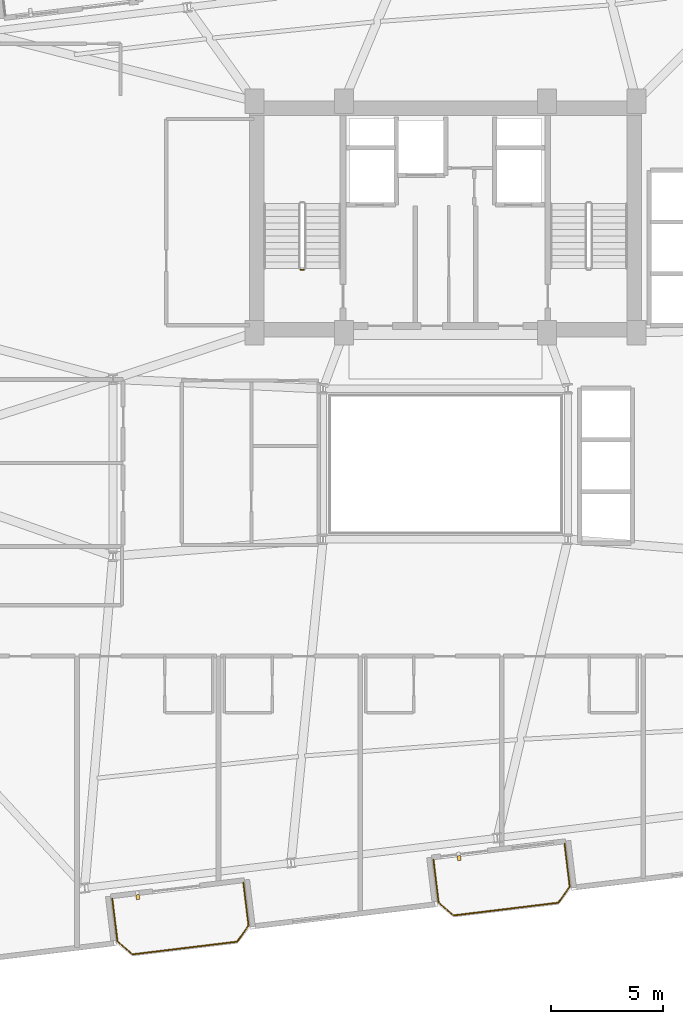
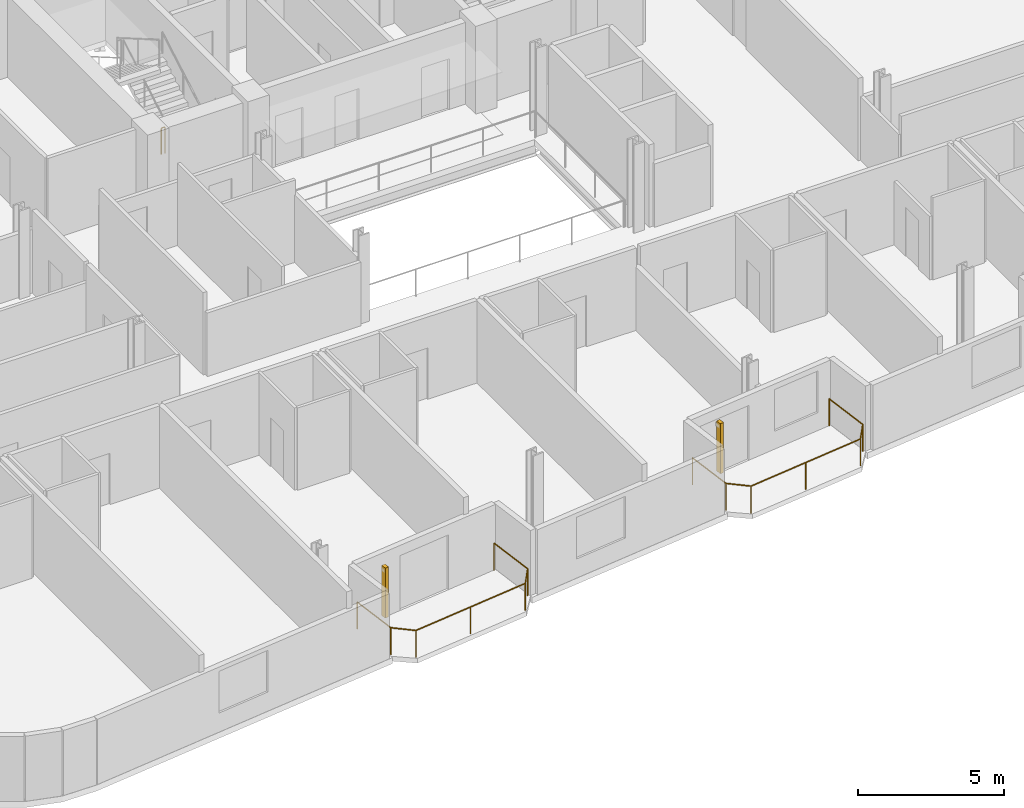
# One storey, part 20 of 23: 3 railings, 2 shading devices.
"""IFC4 building model written with IfcOpenShell, lengths in metres."""

from ifc_helpers import new_model, si_unit, direction, frame, origin, origin_2d, place, context, subcontext, project, spatial, rectangle, circle, extrude, source, transform, mapped, material, type_object, element, save


model = new_model("IFC4")

# Units and contexts
model_context = context("Model", 3, precision=1e-05, world=origin(), true_north=direction((0.0, 1.0)))
body_context = subcontext(model_context, "Body", "Model", "MODEL_VIEW")
ifc_project = project(units=[si_unit("LENGTHUNIT", "METRE"), si_unit("AREAUNIT", "SQUARE_METRE"), si_unit("VOLUMEUNIT", "CUBIC_METRE"), si_unit("PLANEANGLEUNIT", "RADIAN"), si_unit("MASSUNIT", "GRAM", prefix="KILO")], contexts=[model_context])

# Site, building, storey
site_placement = place(None, origin())
site = spatial("IfcSite", under=ifc_project, at=site_placement, CompositionType="ELEMENT")
building_placement = place(site_placement, origin())
building = spatial("IfcBuilding", under=site, at=building_placement, Name="Varnelok Gate Tower", CompositionType="ELEMENT")
storey_placement = place(building_placement, frame((0.0, 0.0, 200.5)))
storey = spatial("IfcBuildingStorey", under=building, at=storey_placement, Name="L51", CompositionType="ELEMENT", Elevation=200.5)

# Railings
ifc_material_1 = material(Name="Low-E Laminated Double Glazing IGU", Category="glass")
railing_type_1 = type_object("IfcRailingType", Name="RL-BALC-1150", PredefinedType="BALUSTRADE", material=ifc_material_1)
railing_1_placement = place(storey_placement, frame((24.368896484375, 3.55712890625, 0.0)))
element("IfcRailing", 1, at=railing_1_placement, inside=storey, type_object=railing_type_1, Name="L51 South Terrace Balustrade 1", PredefinedType="BALUSTRADE", context=body_context, shape_type="SweptSolid", body=[
    extrude(circle(Radius=0.02392578125, at=origin_2d()), frame((0.0, 0.0, 1.1259765625), z_axis=(0.120293392036, -0.992738384386, 0.0), x_axis=(0.992738384386, 0.120293392036, 0.0)), (0.0, 0.0, 1.0), 1.919921875),
    extrude(circle(Radius=0.02392578125, at=origin_2d()), frame((0.23095703125, -1.906005859375, 1.1259765625), z_axis=(0.756422670136, -0.654083132411, 0.0), x_axis=(0.654083132411, 0.756422670136, 0.0)), (0.0, 0.0, 1.0), 0.8779296875),
    extrude(circle(Radius=0.02392578125, at=origin_2d()), frame((0.89501953125, -2.480224609375, 1.1259765625), z_axis=(0.992736790351, 0.120306546306, 0.0), x_axis=(-0.120306546306, 0.992736790351, 0.0)), (0.0, 0.0, 1.0), 4.699951171875),
    extrude(circle(Radius=0.02392578125, at=origin_2d()), frame((5.560791015625, -1.914794921875, 1.1259765625), z_axis=(0.57815621837, 0.815926091726, 0.0), x_axis=(-0.815926091726, 0.57815621837, 0.0)), (0.0, 0.0, 1.0), 0.8779296875),
    extrude(circle(Radius=0.02392578125, at=origin_2d()), frame((6.068359375, -1.198486328125, 1.1259765625), z_axis=(-0.12040351024, 0.992725034802, 0.0), x_axis=(-0.992725034802, -0.12040351024, 0.0)), (0.0, 0.0, 1.0), 1.920166015625),
    extrude(circle(Radius=0.02099609375, at=origin_2d()), origin(), (0.0, 0.0, 1.0), 1.101806640625),
    extrude(circle(Radius=0.02099609375, at=origin_2d()), frame((0.23095703125, -1.906005859375, 0.0)), (0.0, 0.0, 1.0), 1.101806640625),
    extrude(circle(Radius=0.02099609375, at=origin_2d()), frame((0.89501953125, -2.480224609375, 0.0)), (0.0, 0.0, 1.0), 1.101806640625),
    extrude(circle(Radius=0.02099609375, at=origin_2d()), frame((3.22802734375, -2.197509765625, 0.0)), (0.0, 0.0, 1.0), 1.101806640625),
    extrude(circle(Radius=0.02099609375, at=origin_2d()), frame((5.560791015625, -1.914794921875, 0.0)), (0.0, 0.0, 1.0), 1.101806640625),
    extrude(circle(Radius=0.02099609375, at=origin_2d()), frame((6.068359375, -1.198486328125, 0.0)), (0.0, 0.0, 1.0), 1.101806640625),
    extrude(circle(Radius=0.02099609375, at=origin_2d()), frame((5.837158203125, 0.707763671875, 0.0)), (0.0, 0.0, 1.0), 1.101806640625),
])
railing_2_placement = place(storey_placement, frame((38.664306640625, 5.2900390625, 0.0)))
element("IfcRailing", 2, at=railing_2_placement, inside=storey, type_object=railing_type_1, Name="L51 South Terrace Balustrade 2", PredefinedType="BALUSTRADE", context=body_context, shape_type="SweptSolid", body=[
    extrude(circle(Radius=0.02392578125, at=origin_2d()), frame((0.0, 0.0, 1.1259765625), z_axis=(0.120293392036, -0.992738384386, 0.0), x_axis=(0.992738384386, 0.120293392036, 0.0)), (0.0, 0.0, 1.0), 1.919921875),
    extrude(circle(Radius=0.02392578125, at=origin_2d()), frame((0.23095703125, -1.906005859375, 1.1259765625), z_axis=(0.756303655992, -0.654220742513, 0.0), x_axis=(0.654220742513, 0.756303655992, 0.0)), (0.0, 0.0, 1.0), 0.877685546875),
    extrude(circle(Radius=0.02392578125, at=origin_2d()), frame((0.894775390625, -2.480224609375, 1.1259765625), z_axis=(0.99273133746, 0.120351533534, 0.0), x_axis=(-0.120351533534, 0.99273133746, 0.0)), (0.0, 0.0, 1.0), 4.7001953125),
    extrude(circle(Radius=0.02392578125, at=origin_2d()), frame((5.560791015625, -1.91455078125, 1.1259765625), z_axis=(0.577971037086, 0.816057277579, 0.0), x_axis=(-0.816057277579, 0.577971037086, 0.0)), (0.0, 0.0, 1.0), 0.877685546875),
    extrude(circle(Radius=0.02392578125, at=origin_2d()), frame((6.068115234375, -1.1982421875, 1.1259765625), z_axis=(-0.120293392036, 0.992738384386, 0.0), x_axis=(-0.992738384386, -0.120293392036, 0.0)), (0.0, 0.0, 1.0), 1.919921875),
    extrude(circle(Radius=0.02099609375, at=origin_2d()), origin(), (0.0, 0.0, 1.0), 1.101806640625),
    extrude(circle(Radius=0.02099609375, at=origin_2d()), frame((0.23095703125, -1.906005859375, 0.0)), (0.0, 0.0, 1.0), 1.101806640625),
    extrude(circle(Radius=0.02099609375, at=origin_2d()), frame((0.894775390625, -2.480224609375, 0.0)), (0.0, 0.0, 1.0), 1.101806640625),
    extrude(circle(Radius=0.02099609375, at=origin_2d()), frame((3.227783203125, -2.197265625, 0.0)), (0.0, 0.0, 1.0), 1.101806640625),
    extrude(circle(Radius=0.02099609375, at=origin_2d()), frame((5.560791015625, -1.91455078125, 0.0)), (0.0, 0.0, 1.0), 1.101806640625),
    extrude(circle(Radius=0.02099609375, at=origin_2d()), frame((6.068115234375, -1.1982421875, 0.0)), (0.0, 0.0, 1.0), 1.101806640625),
    extrude(circle(Radius=0.02099609375, at=origin_2d()), frame((5.837158203125, 0.707763671875, 0.0)), (0.0, 0.0, 1.0), 1.101806640625),
])
ifc_material_2 = material(Name="Galvanized Steel Grade S350GD", Category="steel")
railing_type_2 = type_object("IfcRailingType", Name="RL-STAIR-GUARD1120", PredefinedType="GUARDRAIL", material=ifc_material_2)
railing_3_placement = place(storey_placement, frame((32.89990234375, 31.550048828125, 0.0)))
element("IfcRailing", 3, at=railing_3_placement, inside=storey, type_object=railing_type_2, Name="L51 ST-1 stair guard 4", PredefinedType="GUARDRAIL", context=body_context, shape_type="SweptSolid", body=[
    extrude(circle(Radius=0.02392578125, at=origin_2d()), frame((0.0, 0.0, 1.09619140625), z_axis=(-1.0, 0.0, 0.0), x_axis=(0.0, -1.0, 0.0)), (0.0, 0.0, 1.0), 0.14990234375),
    extrude(circle(Radius=0.02099609375, at=origin_2d()), origin(), (0.0, 0.0, 1.0), 1.072021484375),
    extrude(circle(Radius=0.02099609375, at=origin_2d()), frame((-0.14990234375, 0.0, 0.0)), (0.0, 0.0, 1.0), 1.072021484375),
])

# Shading devices
ifc_material_3 = material(Name="Glazed Architectural Terracotta Ceramic", Category="masonry")
shading_device_type = type_object("IfcShadingDeviceType", Name="SHD-TERRA-FIN", PredefinedType="USERDEFINED", material=ifc_material_3)
shared_shape = source(origin(), body_context, "Body", "SweptSolid", [
    extrude(rectangle(XDim=0.139892578125, YDim=0.219970703125, at=origin_2d()), origin(), (0.0, 0.0, 1.0), 2.10009765625),
])
for number, where, z_axis, x_axis, name in (
    (4, (25.509033203125, 3.624755859375, 0.099853515625), (0.0, 0.0, 1.0), (0.992732158755, 0.12034475881, 0.0), "L51 Terracotta Ceramic Baguette Sunscreen 1.1"),
    (5, (39.80419921875, 5.35791015625, 0.099853515625), (0.0, 0.0, 1.0), (0.992732158755, 0.12034475881, 0.0), "L51 Terracotta Ceramic Baguette Sunscreen 2.1"),
):
    element("IfcShadingDevice", number, at=place(storey_placement, frame(where, z_axis=z_axis, x_axis=x_axis)), inside=storey, type_object=shading_device_type, Name=name, ObjectType="BAGUETTE", PredefinedType="USERDEFINED", context=body_context, shape_type="MappedRepresentation", body=[
        mapped(shared_shape, transform((0.0, 0.0, 0.0), scale=1.0)),
    ])

save(model, "model.ifc")
